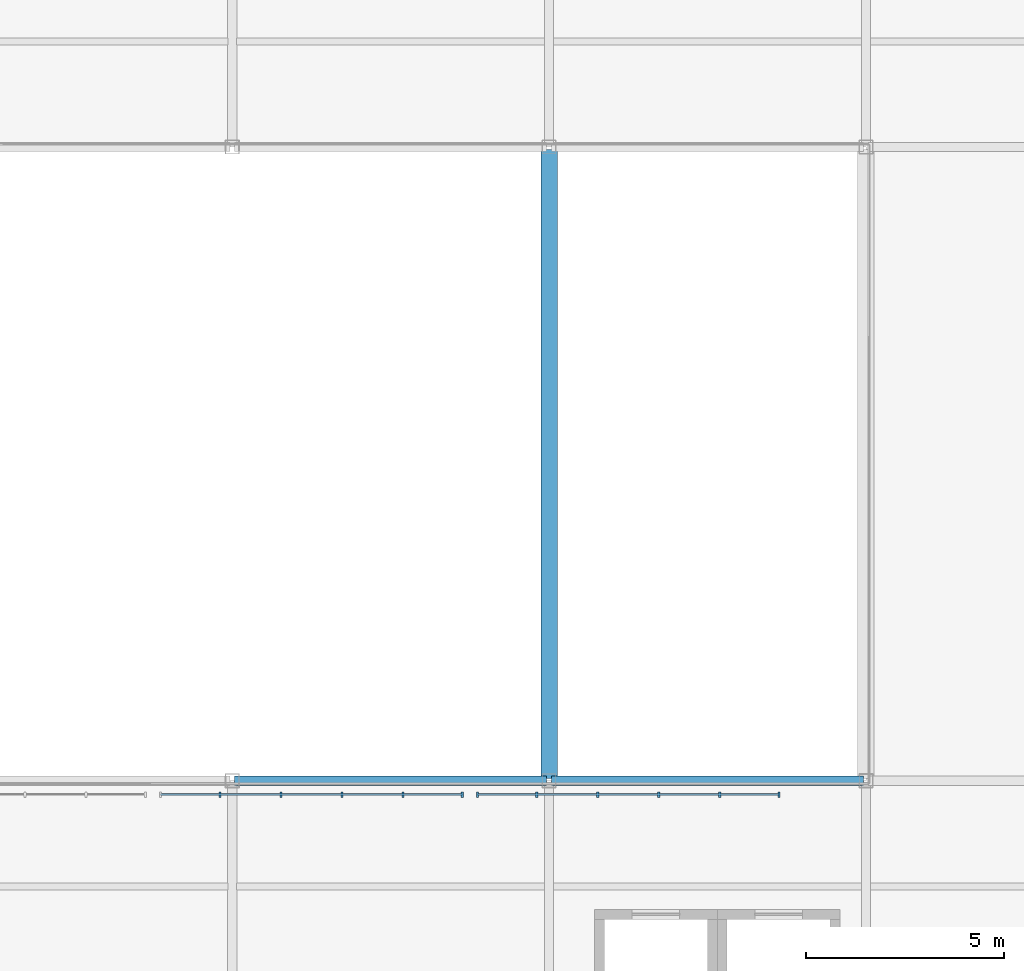
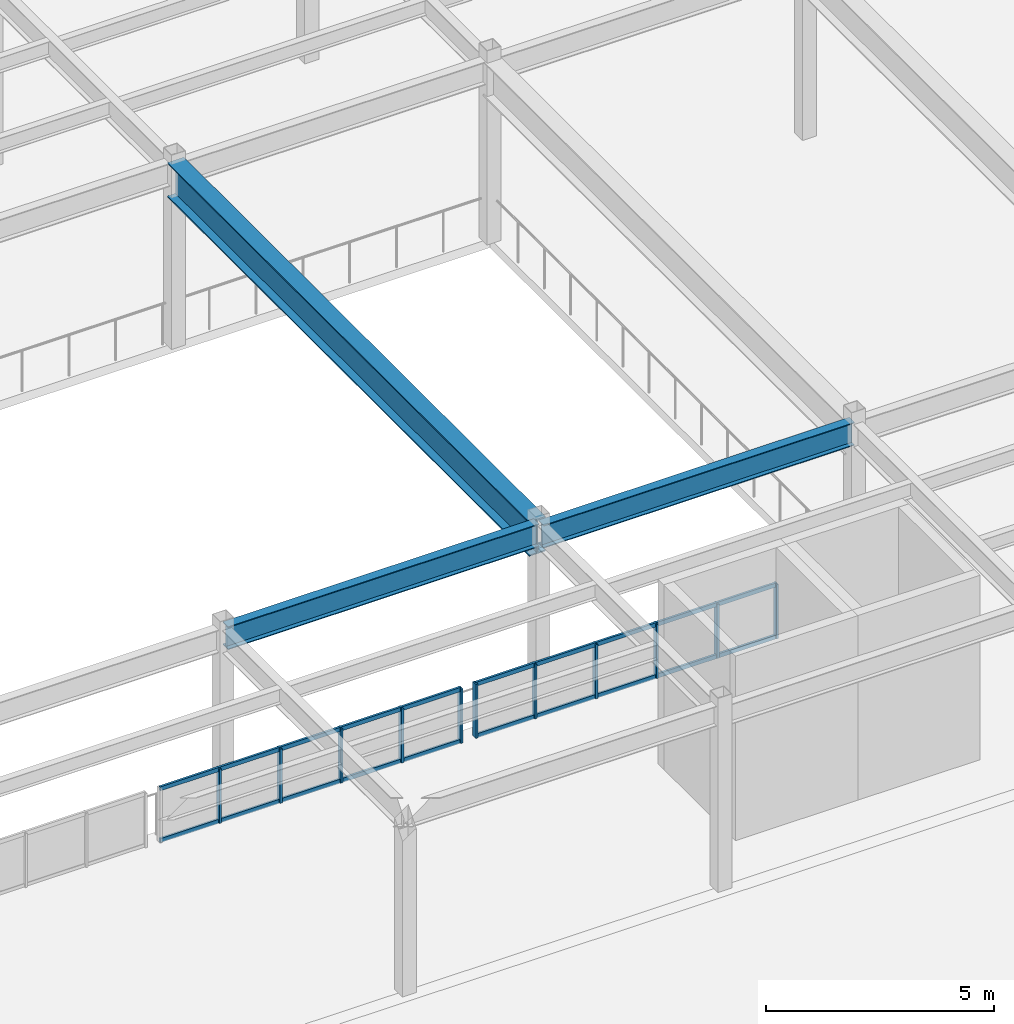
# One storey, part 37 of 77: 15 members, 3 beams, 2 elements without a shape of their own.
"""IFC4 building model written with IfcOpenShell, lengths in metres."""

from ifc_helpers import new_model, si_unit, direction, frame, origin, origin_2d, place, context, subcontext, project, spatial, rectangle, i_section, extrude, material, material_profile, profile_set, type_object, element, aggregate, save


model = new_model("IFC4")

# Units and contexts
model_context = context("Model", 3, precision=1e-05, world=origin(), true_north=direction((0.0, 1.0)))
body_context = subcontext(model_context, "Body", "Model", "MODEL_VIEW")
ifc_project = project(units=[si_unit("LENGTHUNIT", "METRE"), si_unit("AREAUNIT", "SQUARE_METRE"), si_unit("VOLUMEUNIT", "CUBIC_METRE"), si_unit("PLANEANGLEUNIT", "RADIAN"), si_unit("MASSUNIT", "GRAM", prefix="KILO")], contexts=[model_context])

# Site, building, storey
site_placement = place(None, origin())
site = spatial("IfcSite", under=ifc_project, at=site_placement, CompositionType="ELEMENT")
building_placement = place(site_placement, origin())
building = spatial("IfcBuilding", under=site, at=building_placement, Name="Drelvath Fold Interchange", CompositionType="ELEMENT")
storey_placement = place(building_placement, frame((0.0, 0.0, 6.0)))
storey = spatial("IfcBuildingStorey", under=building, at=storey_placement, Name="L01", CompositionType="ELEMENT", Elevation=6.0)

# Beams
ifc_material_1 = material(Name="Steel ASTM A992 Grade 50", Category="steel")
ifc_material_profile_1 = material_profile(ifc_material_1, i_section(OverallWidth=0.22998046875, OverallDepth=0.616943359375, WebThickness=0.01318359375, FlangeThickness=0.022216796875, at=origin_2d()), Name="W24X94")
ifc_profile_set_1 = profile_set([ifc_material_profile_1], Name="Steel ASTM A992 Grade 50")
beam_type_1 = type_object("IfcBeamType", Name="BM-W24X94", PredefinedType="BEAM", material=ifc_profile_set_1)
for number, where, z_axis, x_axis, name in (
    (1, (68.06005859375, 67.0, 4.64111328125), (1.0, 0.0, 0.0), (0.0, 1.0, 0.0), "L01 Primary X girder BM-W24X94"),
    (2, (76.06005859375, 67.0, 4.56103515625), (1.0, 0.0, 0.0), (0.0, 1.0, 0.0), "L01 Primary X girder BM-W24X94"),
):
    element("IfcBeam", number, at=place(storey_placement, frame(where, z_axis=z_axis, x_axis=x_axis)), inside=storey, type_object=beam_type_1, Name=name, PredefinedType="BEAM", context=body_context, shape_type="SweptSolid", body=[
        extrude(i_section(OverallWidth=0.22998046875, OverallDepth=0.616943359375, WebThickness=0.01318359375, FlangeThickness=0.022216796875, at=origin_2d()), origin(), (0.0, 0.0, 1.0), 7.8798828125),
    ])
ifc_material_profile_2 = material_profile(ifc_material_1, i_section(OverallWidth=0.41796875, OverallDepth=0.927001953125, WebThickness=0.019287109375, FlangeThickness=0.031982421875, at=origin_2d()), Name="W36X231")
ifc_profile_set_2 = profile_set([ifc_material_profile_2], Name="Steel ASTM A992 Grade 50")
beam_type_2 = type_object("IfcBeamType", Name="BM-W36X231", PredefinedType="USERDEFINED", material=ifc_profile_set_2)
beam_placement = place(storey_placement, frame((76.0, 67.06005859375, 4.486083984375), z_axis=(0.0, 1.0, 0.0), x_axis=(-1.0, 0.0, 0.0)))
element("IfcBeam", 3, at=beam_placement, inside=storey, type_object=beam_type_2, Name="L01 Primary Y girder BM-W36X231", ObjectType="GIRDER", PredefinedType="USERDEFINED", context=body_context, shape_type="SweptSolid", body=[
    extrude(i_section(OverallWidth=0.41796875, OverallDepth=0.927001953125, WebThickness=0.019287109375, FlangeThickness=0.031982421875, at=origin_2d()), origin(), (0.0, 0.0, 1.0), 15.8798828125),
])

# Curtain wall, members
ifc_material_2 = material(Name="Anodized Aluminium 6063-T6", Category="aluminium")
curtain_wall_type = type_object("IfcCurtainWallType", Name="CW-ATR-SCR", PredefinedType="USERDEFINED", material=ifc_material_2)
curtain_wall_1_placement = place(storey_placement, origin())
curtain_wall_1 = element("IfcCurtainWall", 4, at=curtain_wall_1_placement, inside=storey, type_object=curtain_wall_type, Name="Curtain wall CW-ATR-L01-S66", ObjectType="GLAZED SCREEN WALL", PredefinedType="USERDEFINED")
ifc_material_profile_3 = material_profile(ifc_material_2, rectangle(XDim=0.054931640625, YDim=0.135009765625, at=origin_2d()), Name="AL-M 55x135")
ifc_profile_set_3 = profile_set([ifc_material_profile_3], Name="Anodized Aluminium 6063-T6")
member_type_1 = type_object("IfcMemberType", Name="ML-135", PredefinedType="MULLION", material=ifc_profile_set_3)
member_1_placement = place(storey_placement, frame((67.68994140625, 66.64990234375, 0.0), z_axis=(0.0, 0.0, 1.0), x_axis=(1.0, 0.0, 0.0)))
member_1 = element("IfcMember", 5, at=member_1_placement, type_object=member_type_1, Name="CW-ATR-L01-S66 mullion 1", PredefinedType="MULLION", context=body_context, shape_type="SweptSolid", body=[
    extrude(rectangle(XDim=0.054931640625, YDim=0.135009765625, at=origin_2d()), origin(), (0.0, 0.0, 1.0), 1.449951171875),
])
member_2_placement = place(storey_placement, frame((69.22998046875, 66.64990234375, 0.0), z_axis=(0.0, 0.0, 1.0), x_axis=(1.0, 0.0, 0.0)))
member_2 = element("IfcMember", 6, at=member_2_placement, type_object=member_type_1, Name="CW-ATR-L01-S66 mullion 2", PredefinedType="MULLION", context=body_context, shape_type="SweptSolid", body=[
    extrude(rectangle(XDim=0.054931640625, YDim=0.135009765625, at=origin_2d()), origin(), (0.0, 0.0, 1.0), 1.449951171875),
])
member_3_placement = place(storey_placement, frame((70.77001953125, 66.64990234375, 0.0), z_axis=(0.0, 0.0, 1.0), x_axis=(1.0, 0.0, 0.0)))
member_3 = element("IfcMember", 7, at=member_3_placement, type_object=member_type_1, Name="CW-ATR-L01-S66 mullion 3", PredefinedType="MULLION", context=body_context, shape_type="SweptSolid", body=[
    extrude(rectangle(XDim=0.054931640625, YDim=0.135009765625, at=origin_2d()), origin(), (0.0, 0.0, 1.0), 1.449951171875),
])
member_4_placement = place(storey_placement, frame((72.31005859375, 66.64990234375, 0.0), z_axis=(0.0, 0.0, 1.0), x_axis=(1.0, 0.0, 0.0)))
member_4 = element("IfcMember", 8, at=member_4_placement, type_object=member_type_1, Name="CW-ATR-L01-S66 mullion 4", PredefinedType="MULLION", context=body_context, shape_type="SweptSolid", body=[
    extrude(rectangle(XDim=0.054931640625, YDim=0.135009765625, at=origin_2d()), origin(), (0.0, 0.0, 1.0), 1.449951171875),
])
member_5_placement = place(storey_placement, frame((73.81005859375, 66.64990234375, 0.0), z_axis=(0.0, 0.0, 1.0), x_axis=(1.0, 0.0, 0.0)))
member_5 = element("IfcMember", 9, at=member_5_placement, type_object=member_type_1, Name="CW-ATR-L01-S66 mullion 5", PredefinedType="MULLION", context=body_context, shape_type="SweptSolid", body=[
    extrude(rectangle(XDim=0.054931640625, YDim=0.135009765625, at=origin_2d()), origin(), (0.0, 0.0, 1.0), 1.449951171875),
])

curtain_wall_2_placement = place(storey_placement, origin())
curtain_wall_2 = element("IfcCurtainWall", 10, at=curtain_wall_2_placement, inside=storey, type_object=curtain_wall_type, Name="Curtain wall CW-ATR-L01-S74", ObjectType="GLAZED SCREEN WALL", PredefinedType="USERDEFINED")
member_6_placement = place(storey_placement, frame((74.18994140625, 66.64990234375, 0.0), z_axis=(0.0, 0.0, 1.0), x_axis=(1.0, 0.0, 0.0)))
member_6 = element("IfcMember", 11, at=member_6_placement, type_object=member_type_1, Name="CW-ATR-L01-S74 mullion 0", PredefinedType="MULLION", context=body_context, shape_type="SweptSolid", body=[
    extrude(rectangle(XDim=0.054931640625, YDim=0.135009765625, at=origin_2d()), origin(), (0.0, 0.0, 1.0), 1.449951171875),
])
member_7_placement = place(storey_placement, frame((75.68994140625, 66.64990234375, 0.0), z_axis=(0.0, 0.0, 1.0), x_axis=(1.0, 0.0, 0.0)))
member_7 = element("IfcMember", 12, at=member_7_placement, type_object=member_type_1, Name="CW-ATR-L01-S74 mullion 1", PredefinedType="MULLION", context=body_context, shape_type="SweptSolid", body=[
    extrude(rectangle(XDim=0.054931640625, YDim=0.135009765625, at=origin_2d()), origin(), (0.0, 0.0, 1.0), 1.449951171875),
])
member_8_placement = place(storey_placement, frame((77.22998046875, 66.64990234375, 0.0), z_axis=(0.0, 0.0, 1.0), x_axis=(1.0, 0.0, 0.0)))
member_8 = element("IfcMember", 13, at=member_8_placement, type_object=member_type_1, Name="CW-ATR-L01-S74 mullion 2", PredefinedType="MULLION", context=body_context, shape_type="SweptSolid", body=[
    extrude(rectangle(XDim=0.054931640625, YDim=0.135009765625, at=origin_2d()), origin(), (0.0, 0.0, 1.0), 1.449951171875),
])
member_9_placement = place(storey_placement, frame((78.77001953125, 66.64990234375, 0.0), z_axis=(0.0, 0.0, 1.0), x_axis=(1.0, 0.0, 0.0)))
member_9 = element("IfcMember", 14, at=member_9_placement, type_object=member_type_1, Name="CW-ATR-L01-S74 mullion 3", PredefinedType="MULLION", context=body_context, shape_type="SweptSolid", body=[
    extrude(rectangle(XDim=0.054931640625, YDim=0.135009765625, at=origin_2d()), origin(), (0.0, 0.0, 1.0), 1.449951171875),
])
member_10_placement = place(storey_placement, frame((80.31005859375, 66.64990234375, 0.0), z_axis=(0.0, 0.0, 1.0), x_axis=(1.0, 0.0, 0.0)))
member_10 = element("IfcMember", 15, at=member_10_placement, type_object=member_type_1, Name="CW-ATR-L01-S74 mullion 4", PredefinedType="MULLION", context=body_context, shape_type="SweptSolid", body=[
    extrude(rectangle(XDim=0.054931640625, YDim=0.135009765625, at=origin_2d()), origin(), (0.0, 0.0, 1.0), 1.449951171875),
])
member_11_placement = place(storey_placement, frame((81.81005859375, 66.64990234375, 0.0), z_axis=(0.0, 0.0, 1.0), x_axis=(1.0, 0.0, 0.0)))
member_11 = element("IfcMember", 16, at=member_11_placement, type_object=member_type_1, Name="CW-ATR-L01-S74 mullion 5", PredefinedType="MULLION", context=body_context, shape_type="SweptSolid", body=[
    extrude(rectangle(XDim=0.054931640625, YDim=0.135009765625, at=origin_2d()), origin(), (0.0, 0.0, 1.0), 1.449951171875),
])

# Member
ifc_material_profile_4 = material_profile(ifc_material_2, rectangle(XDim=0.054931640625, YDim=0.110107421875, at=origin_2d()), Name="AL-T 55x110")
ifc_profile_set_4 = profile_set([ifc_material_profile_4], Name="Anodized Aluminium 6063-T6")
member_type_2 = type_object("IfcMemberType", Name="TR-110", PredefinedType="USERDEFINED", material=ifc_profile_set_4)
member_12_placement = place(storey_placement, frame((66.18994140625, 66.64990234375, 0.030029296875), z_axis=(1.0, 0.0, 0.0), x_axis=(0.0, 1.0, 0.0)))
member_12 = element("IfcMember", 17, at=member_12_placement, type_object=member_type_2, Name="CW-ATR-L01-S66 transom 0", ObjectType="TRANSOM", PredefinedType="USERDEFINED", context=body_context, shape_type="SweptSolid", body=[
    extrude(rectangle(XDim=0.054931640625, YDim=0.110107421875, at=origin_2d()), origin(), (0.0, 0.0, 1.0), 7.6201171875),
])

member_13_placement = place(storey_placement, frame((66.18994140625, 66.64990234375, 1.419921875), z_axis=(1.0, 0.0, 0.0), x_axis=(0.0, 1.0, 0.0)))
member_13 = element("IfcMember", 18, at=member_13_placement, type_object=member_type_2, Name="CW-ATR-L01-S66 transom 1", ObjectType="TRANSOM", PredefinedType="USERDEFINED", context=body_context, shape_type="SweptSolid", body=[
    extrude(rectangle(XDim=0.054931640625, YDim=0.110107421875, at=origin_2d()), origin(), (0.0, 0.0, 1.0), 7.6201171875),
])

aggregate(curtain_wall_1, [member_1, member_2, member_3, member_4, member_5, member_12, member_13])

member_14_placement = place(storey_placement, frame((74.18994140625, 66.64990234375, 0.030029296875), z_axis=(1.0, 0.0, 0.0), x_axis=(0.0, 1.0, 0.0)))
member_14 = element("IfcMember", 19, at=member_14_placement, type_object=member_type_2, Name="CW-ATR-L01-S74 transom 0", ObjectType="TRANSOM", PredefinedType="USERDEFINED", context=body_context, shape_type="SweptSolid", body=[
    extrude(rectangle(XDim=0.054931640625, YDim=0.110107421875, at=origin_2d()), origin(), (0.0, 0.0, 1.0), 7.6201171875),
])

member_15_placement = place(storey_placement, frame((74.18994140625, 66.64990234375, 1.419921875), z_axis=(1.0, 0.0, 0.0), x_axis=(0.0, 1.0, 0.0)))
member_15 = element("IfcMember", 20, at=member_15_placement, type_object=member_type_2, Name="CW-ATR-L01-S74 transom 1", ObjectType="TRANSOM", PredefinedType="USERDEFINED", context=body_context, shape_type="SweptSolid", body=[
    extrude(rectangle(XDim=0.054931640625, YDim=0.110107421875, at=origin_2d()), origin(), (0.0, 0.0, 1.0), 7.6201171875),
])

aggregate(curtain_wall_2, [member_6, member_7, member_8, member_9, member_10, member_11, member_14, member_15])

save(model, "model.ifc")
